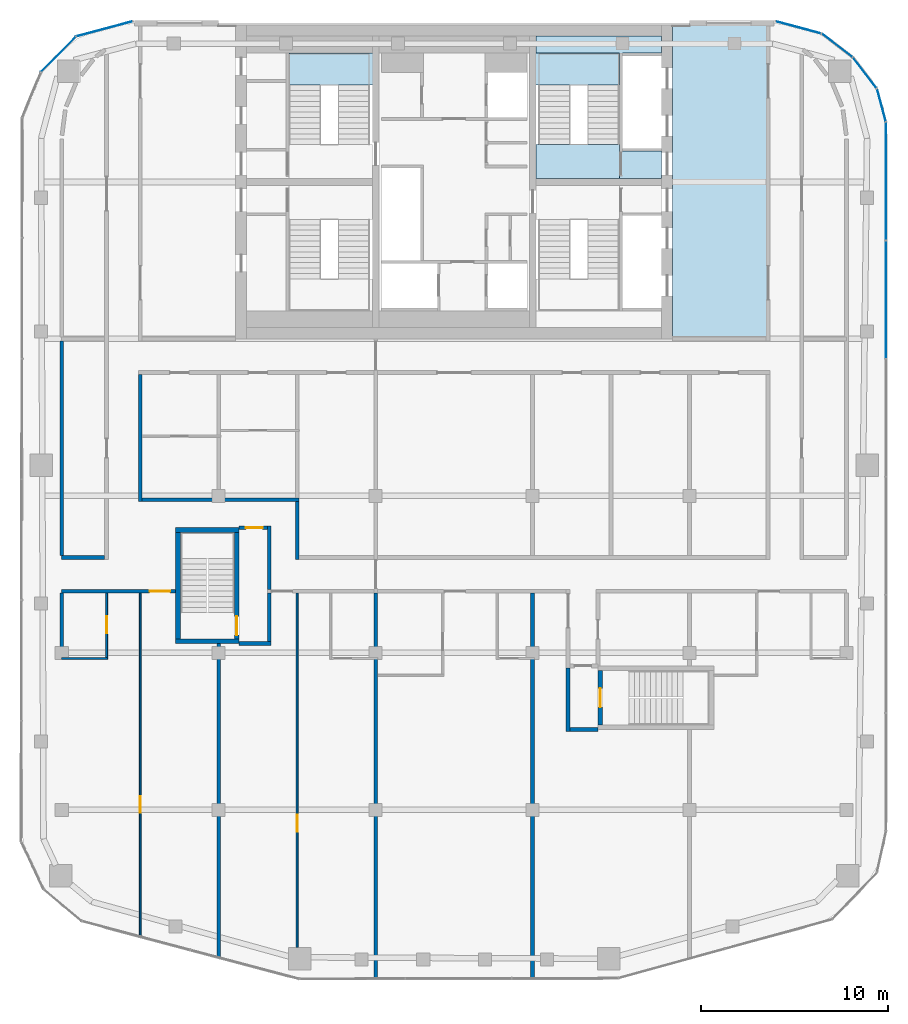
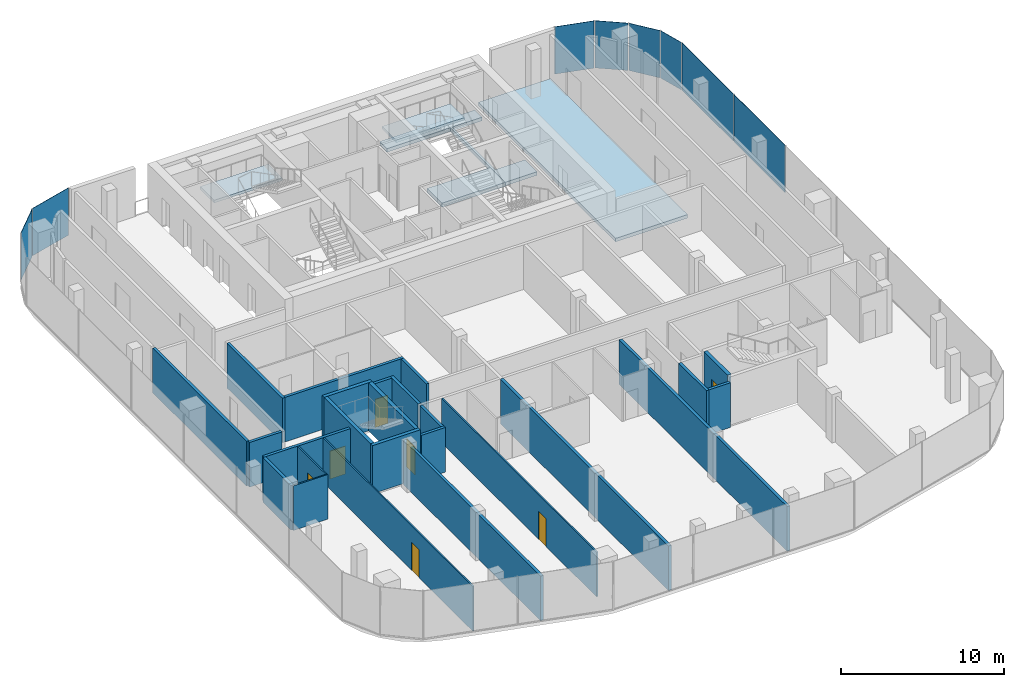
# One storey, part 13 of 19: 25 walls, 8 plates, 7 doors, 5 slabs, 7 openings, 9 elements without a shape of their own.
"""IFC4 building model written with IfcOpenShell, lengths in metres."""

from ifc_helpers import new_model, si_unit, direction, frame, frame_2d, origin, origin_2d, place, context, subcontext, project, spatial, polyline, rectangle, outline, extrude, material, layer, layer_set, type_object, element, fill, aggregate, save


model = new_model("IFC4")

# Units and contexts
model_context = context("Model", 3, precision=1e-05, world=origin(), true_north=direction((0.0, 1.0)))
body_context = subcontext(model_context, "Body", "Model", "MODEL_VIEW")
ifc_project = project(units=[si_unit("LENGTHUNIT", "METRE"), si_unit("AREAUNIT", "SQUARE_METRE"), si_unit("VOLUMEUNIT", "CUBIC_METRE"), si_unit("PLANEANGLEUNIT", "RADIAN"), si_unit("MASSUNIT", "GRAM", prefix="KILO")], contexts=[model_context])

# Site, building, storey
site_placement = place(None, origin())
site = spatial("IfcSite", under=ifc_project, at=site_placement, CompositionType="ELEMENT")
building_placement = place(site_placement, origin())
building = spatial("IfcBuilding", under=site, at=building_placement, Name="Marenta Gate Hotel Tower", CompositionType="ELEMENT")
storey_placement = place(building_placement, frame((0.0, 0.0, 274.10009765625)))
storey = spatial("IfcBuildingStorey", under=building, at=storey_placement, Name="L63", CompositionType="ELEMENT", Elevation=274.10009765625)

# Slabs
ifc_material_1 = material(Name="Concrete C40", Category="concrete")
ifc_layer_1 = layer(ifc_material_1, 0.260009765625)
ifc_layer_set_1 = layer_set([ifc_layer_1], Name="Concrete C40")
slab_type_1 = type_object("IfcSlabType", Name="Core floor slab 260", PredefinedType="FLOOR", material=ifc_layer_set_1)
slab_1_placement = place(storey_placement, frame((0.0, 0.0, -0.260009765625)))
element("IfcSlab", 1, at=slab_1_placement, inside=storey, type_object=slab_type_1, Name="L63-CF-1", PredefinedType="FLOOR", context=body_context, shape_type="SweptSolid", body=[
    extrude(outline(polyline([(11.699951171875, 0.0), (11.699951171875, 16.800048828125), (16.800048828125, 16.800048828125), (16.800048828125, 0.0), (11.699951171875, 0.0)])), origin(), (0.0, 0.0, 1.0), 0.260009765625),
])
slab_2_placement = place(storey_placement, frame((0.0, 0.0, -0.260009765625)))
element("IfcSlab", 2, at=slab_2_placement, inside=storey, type_object=slab_type_1, Name="L63-CF-3", PredefinedType="FLOOR", context=body_context, shape_type="SweptSolid", body=[
    extrude(outline(polyline([(8.85009765625, 15.300048828125), (4.375, 15.300048828125), (4.375, 16.199951171875), (11.10009765625, 16.199951171875), (11.10009765625, 15.300048828125), (9.0, 15.300048828125), (9.0, 15.14990234375), (9.0, 12.75), (9.0, 12.60009765625), (9.0, 10.199951171875), (9.0, 10.050048828125), (11.10009765625, 10.050048828125), (11.10009765625, 8.574951171875), (8.85009765625, 8.574951171875), (8.85009765625, 8.699951171875), (8.85009765625, 10.39990234375), (8.85009765625, 15.300048828125)])), origin(), (0.0, 0.0, 1.0), 0.260009765625),
])

# Stair, slab
ifc_material_2 = material(Name="Concrete C40", Category="concrete")
stair_type = type_object("IfcStairType", Name="Core exit stair 1700 wide", PredefinedType="HALF_TURN_STAIR", material=ifc_material_2)
stair_1_placement = place(storey_placement, origin())
stair_1 = element("IfcStair", 3, at=stair_1_placement, inside=storey, type_object=stair_type, Name="Exit stair 2", PredefinedType="HALF_TURN_STAIR")
ifc_material_3 = material(Name="Concrete C40", Category="concrete")
ifc_layer_2 = layer(ifc_material_3, 0.199951171875)
ifc_layer_set_2 = layer_set([ifc_layer_2], Name="Concrete C40")
slab_type_2 = type_object("IfcSlabType", Name="Core stair landing 200", PredefinedType="LANDING", material=ifc_layer_set_2)
slab_3_placement = place(storey_placement, frame((0.0, 0.0, 1.599853515625)))
slab_3 = element("IfcSlab", 4, at=slab_3_placement, type_object=slab_type_2, Name="SL-200 ST2 landing 1", PredefinedType="LANDING", context=body_context, shape_type="SweptSolid", body=[
    extrude(outline(polyline([(-8.85009765625, 13.590087890625), (-4.02490234375, 13.590087890625), (-4.02490234375, 15.300048828125), (-8.85009765625, 15.300048828125), (-8.85009765625, 13.590087890625)])), origin(), (0.0, 0.0, 1.0), 0.199951171875),
])
aggregate(stair_1, [slab_3])

stair_2_placement = place(storey_placement, origin())
stair_2 = element("IfcStair", 5, at=stair_2_placement, inside=storey, type_object=stair_type, Name="Exit stair 4", PredefinedType="HALF_TURN_STAIR")
slab_4_placement = place(storey_placement, frame((0.0, 0.0, 1.599853515625)))
slab_4 = element("IfcSlab", 6, at=slab_4_placement, type_object=slab_type_2, Name="SL-200 ST4 landing 1", PredefinedType="LANDING", context=body_context, shape_type="SweptSolid", body=[
    extrude(outline(polyline([(4.02490234375, 13.590087890625), (8.85009765625, 13.590087890625), (8.85009765625, 15.300048828125), (4.02490234375, 15.300048828125), (4.02490234375, 13.590087890625)])), origin(), (0.0, 0.0, 1.0), 0.199951171875),
])
aggregate(stair_2, [slab_4])

# Curtain wall, plate
ifc_material_4 = material(Name="Tinted insulated glass in bronze anodised frame", Category="glass")
ifc_layer_3 = layer(ifc_material_4, 0.1201171875)
ifc_layer_set_3 = layer_set([ifc_layer_3], Name="Tinted insulated glass in bronze anodised frame")
curtain_wall_type = type_object("IfcCurtainWallType", Name="Tower unitised curtain wall CW1", PredefinedType="NOTDEFINED", material=ifc_layer_set_3)
curtain_wall_1_placement = place(storey_placement, origin())
curtain_wall_1 = element("IfcCurtainWall", 7, at=curtain_wall_1_placement, inside=storey, type_object=curtain_wall_type, Name="CW1 run G00", PredefinedType="NOTDEFINED")
ifc_material_5 = material(Name="Tinted insulated glass", Category="glass")
ifc_layer_4 = layer(ifc_material_5, 0.028076171875)
ifc_layer_set_4 = layer_set([ifc_layer_4], Name="Tinted insulated glass")
plate_type = type_object("IfcPlateType", Name="Glass panel CW1 28 mm tinted insulated unit", PredefinedType="CURTAIN_PANEL", material=ifc_layer_set_4)
plate_1_placement = place(storey_placement, frame((-18.713623046875, 16.59375, 0.059814453125), z_axis=(0.0, 0.0, 1.0), x_axis=(-0.965930559685, -0.258801379183, 0.0)))
plate_1 = element("IfcPlate", 8, at=plate_1_placement, type_object=plate_type, Name="CW1 panel 1.1", PredefinedType="CURTAIN_PANEL", context=body_context, shape_type="SweptSolid", body=[
    extrude(rectangle(XDim=3.104248046875, YDim=0.028076171875, at=origin_2d()), origin(), (0.0, 0.0, 1.0), 3.5400390625),
])
aggregate(curtain_wall_1, [plate_1])

curtain_wall_2_placement = place(storey_placement, origin())
curtain_wall_2 = element("IfcCurtainWall", 9, at=curtain_wall_2_placement, inside=storey, type_object=curtain_wall_type, Name="CW1 run G01", PredefinedType="NOTDEFINED")
plate_2_placement = place(storey_placement, frame((-21.179443359375, 15.2255859375, 0.059814453125), z_axis=(0.0, 0.0, 1.0), x_axis=(-0.707106781187, -0.707106781187, 0.0)))
plate_2 = element("IfcPlate", 10, at=plate_2_placement, type_object=plate_type, Name="CW1 panel 1.1", PredefinedType="CURTAIN_PANEL", context=body_context, shape_type="SweptSolid", body=[
    extrude(rectangle(XDim=2.614013671875, YDim=0.028076171875, at=origin_2d()), origin(), (0.0, 0.0, 1.0), 3.5400390625),
])
aggregate(curtain_wall_2, [plate_2])

# Curtain wall, plates
curtain_wall_3_placement = place(storey_placement, origin())
curtain_wall_3 = element("IfcCurtainWall", 11, at=curtain_wall_3_placement, inside=storey, type_object=curtain_wall_type, Name="CW1 run G11", PredefinedType="NOTDEFINED")
plate_3_placement = place(storey_placement, frame((23.114013671875, 2.10791015625, 0.059814453125), z_axis=(0.0, 0.0, 1.0), x_axis=(0.0, 1.0, 0.0)))
plate_3 = element("IfcPlate", 12, at=plate_3_placement, type_object=plate_type, Name="CW1 panel 5.1", PredefinedType="CURTAIN_PANEL", context=body_context, shape_type="SweptSolid", body=[
    extrude(rectangle(XDim=6.2626953125, YDim=0.028076171875, at=origin_2d()), origin(), (0.0, 0.0, 1.0), 3.5400390625),
])
plate_4_placement = place(storey_placement, frame((23.114013671875, 8.445556640625, 0.059814453125), z_axis=(0.0, 0.0, 1.0), x_axis=(0.0, 1.0, 0.0)))
plate_4 = element("IfcPlate", 13, at=plate_4_placement, type_object=plate_type, Name="CW1 panel 6.1", PredefinedType="CURTAIN_PANEL", context=body_context, shape_type="SweptSolid", body=[
    extrude(rectangle(XDim=6.29248046875, YDim=0.028076171875, at=origin_2d()), origin(), (0.0, 0.0, 1.0), 3.5400390625),
])
aggregate(curtain_wall_3, [plate_3, plate_4])

# Curtain wall, plate
curtain_wall_4_placement = place(storey_placement, origin())
curtain_wall_4 = element("IfcCurtainWall", 14, at=curtain_wall_4_placement, inside=storey, type_object=curtain_wall_type, Name="CW1 run G12", PredefinedType="NOTDEFINED")
plate_5_placement = place(storey_placement, frame((22.8662109375, 12.51611328125, 0.059814453125), z_axis=(0.0, 0.0, 1.0), x_axis=(-0.258824166754, 0.965924453932, 0.0)))
plate_5 = element("IfcPlate", 15, at=plate_5_placement, type_object=plate_type, Name="CW1 panel 1.1", PredefinedType="CURTAIN_PANEL", context=body_context, shape_type="SweptSolid", body=[
    extrude(rectangle(XDim=1.793701171875, YDim=0.028076171875, at=origin_2d()), origin(), (0.0, 0.0, 1.0), 3.5400390625),
])
aggregate(curtain_wall_4, [plate_5])

curtain_wall_5_placement = place(storey_placement, origin())
curtain_wall_5 = element("IfcCurtainWall", 16, at=curtain_wall_5_placement, inside=storey, type_object=curtain_wall_type, Name="CW1 run G13", PredefinedType="NOTDEFINED")
plate_6_placement = place(storey_placement, frame((21.97509765625, 14.2412109375, 0.059814453125), z_axis=(0.0, 0.0, 1.0), x_axis=(-0.608787499222, 0.793333335233, 0.0)))
plate_6 = element("IfcPlate", 17, at=plate_6_placement, type_object=plate_type, Name="CW1 panel 1.1", PredefinedType="CURTAIN_PANEL", context=body_context, shape_type="SweptSolid", body=[
    extrude(rectangle(XDim=2.045166015625, YDim=0.028076171875, at=origin_2d()), origin(), (0.0, 0.0, 1.0), 3.5400390625),
])
aggregate(curtain_wall_5, [plate_6])

curtain_wall_6_placement = place(storey_placement, origin())
curtain_wall_6 = element("IfcCurtainWall", 18, at=curtain_wall_6_placement, inside=storey, type_object=curtain_wall_type, Name="CW1 run G14", PredefinedType="NOTDEFINED")
plate_7_placement = place(storey_placement, frame((20.493896484375, 15.711669921875, 0.059814453125), z_axis=(0.0, 0.0, 1.0), x_axis=(-0.793333335233, 0.608787499222, 0.0)))
plate_7 = element("IfcPlate", 19, at=plate_7_placement, type_object=plate_type, Name="CW1 panel 1.1", PredefinedType="CURTAIN_PANEL", context=body_context, shape_type="SweptSolid", body=[
    extrude(rectangle(XDim=2.045166015625, YDim=0.028076171875, at=origin_2d()), origin(), (0.0, 0.0, 1.0), 3.5400390625),
])
aggregate(curtain_wall_6, [plate_7])

curtain_wall_7_placement = place(storey_placement, origin())
curtain_wall_7 = element("IfcCurtainWall", 20, at=curtain_wall_7_placement, inside=storey, type_object=curtain_wall_type, Name="CW1 run G15", PredefinedType="NOTDEFINED")
plate_8_placement = place(storey_placement, frame((18.41943359375, 16.672607421875, 0.059814453125), z_axis=(0.0, 0.0, 1.0), x_axis=(-0.96592961764, 0.258804895175, 0.0)))
plate_8 = element("IfcPlate", 21, at=plate_8_placement, type_object=plate_type, Name="CW1 panel 1.1", PredefinedType="CURTAIN_PANEL", context=body_context, shape_type="SweptSolid", body=[
    extrude(rectangle(XDim=2.4951171875, YDim=0.028076171875, at=origin_2d()), origin(), (0.0, 0.0, 1.0), 3.5400390625),
])
aggregate(curtain_wall_7, [plate_8])

# Slab
ifc_material_6 = material(Name="Concrete C40", Category="concrete")
ifc_layer_5 = layer(ifc_material_6, 0.300048828125)
ifc_layer_set_5 = layer_set([ifc_layer_5], Name="Concrete C40")
slab_type_3 = type_object("IfcSlabType", Name="Stair floor landing slab 300", PredefinedType="FLOOR", material=ifc_layer_set_5)
slab_5_placement = place(storey_placement, frame((0.0, 0.0, -0.300048828125)))
element("IfcSlab", 22, at=slab_5_placement, inside=storey, type_object=slab_type_3, Name="L63-CL-ST4-1", PredefinedType="FLOOR", context=body_context, shape_type="SweptSolid", body=[
    extrude(outline(polyline([(4.375, 8.574951171875), (4.375, 10.39990234375), (8.85009765625, 10.39990234375), (8.85009765625, 8.699951171875), (8.85009765625, 8.574951171875), (4.375, 8.574951171875)])), origin(), (0.0, 0.0, 1.0), 0.300048828125),
])

# Wall
ifc_material_7 = material(Name="Concrete blockwork", Category="masonry")
ifc_layer_6 = layer(ifc_material_7, 0.199951171875)
ifc_layer_set_6 = layer_set([ifc_layer_6], Name="Concrete blockwork")
wall_type_1 = type_object("IfcWallType", Name="Compartment wall 200 REI 180", PredefinedType="PARTITIONING", material=ifc_layer_set_6)
wall_1_placement = place(storey_placement, frame((-4.199951171875, -34.199951171875, 0.0), z_axis=(0.0, 0.0, 1.0), x_axis=(0.0, 1.0, 0.0)))
element("IfcWall", 23, at=wall_1_placement, inside=storey, type_object=wall_type_1, Name="L63-PTN-W040", PredefinedType="PARTITIONING", context=body_context, shape_type="SweptSolid", body=[
    extrude(rectangle(XDim=20.599853515625, YDim=0.199951171875, at=frame_2d((10.2998046875, 0.0))), origin(), (0.0, 0.0, 1.0), 3.33984375),
])

# Wall, opening, door
ifc_material_8 = material(Name="Concrete C40", Category="concrete")
ifc_layer_7 = layer(ifc_material_8, 0.25)
ifc_layer_set_7 = layer_set([ifc_layer_7], Name="Concrete C40")
wall_type_2 = type_object("IfcWallType", Name="Remote stair enclosure wall 250 REI 180", PredefinedType="SHEAR", material=ifc_layer_set_7)
wall_2_placement = place(storey_placement, frame((7.824951171875, -20.64990234375, 0.099853515625), z_axis=(0.0, 0.0, 1.0), x_axis=(0.0, 1.0, 0.0)))
wall_2 = element("IfcWall", 24, at=wall_2_placement, inside=storey, type_object=wall_type_2, Name="L63-RS-Z4-1-W3", PredefinedType="SHEAR", context=body_context, shape_type="SweptSolid", body=[
    extrude(rectangle(XDim=2.89990234375, YDim=0.25, at=frame_2d((1.449951171875, 0.0))), origin(), (0.0, 0.0, 1.0), 3.60009765625),
])
opening_1_placement = place(wall_2_placement, frame((0.949951171875, 0.0, 0.0)))
opening_1 = element("IfcOpeningElement", 25, at=opening_1_placement, cuts=wall_2, Name="Opening VD", PredefinedType="OPENING", context=body_context, shape_type="SweptSolid", body=[
    extrude(rectangle(XDim=1.0, YDim=2.10009765625, at=frame_2d((0.5, 1.050048828125))), frame((0.0, 0.125, 0.0), z_axis=(0.0, -1.0, 0.0), x_axis=(1.0, 0.0, 0.0)), (0.0, 0.0, 1.0), 0.25),
])
ifc_material_9 = material(Name="Steel", Category="steel")
door_type_1 = type_object("IfcDoorType", Name="Stair vestibule door 1000x2100 FD60", OperationType="SINGLE_SWING_LEFT", PredefinedType="DOOR", material=ifc_material_9)
door_1_placement = place(opening_1_placement, origin())
door_1 = element("IfcDoor", 26, at=door_1_placement, inside=storey, type_object=door_type_1, Name="VD", OperationType="SINGLE_SWING_LEFT", OverallHeight=2.10009765625, OverallWidth=1.0, PredefinedType="DOOR", context=body_context, shape_type="SweptSolid", body=[
    extrude(rectangle(XDim=1.0, YDim=2.10009765625, at=frame_2d((0.5, 1.050048828125))), frame((0.0, 0.02490234375, 0.0), z_axis=(0.0, -1.0, 0.0), x_axis=(1.0, 0.0, 0.0)), (0.0, 0.0, 1.0), 0.050048828125),
])
fill(opening_1, door_1)

# Walls
for number, where, z_axis, x_axis, name in (
    (27, (-14.89990234375, -16.175048828125, 0.099853515625), (0.0, 0.0, 1.0), (1.0, 0.0, 0.0), "L63-RS-Z4-2-W1"),
    (28, (-14.89990234375, -10.22509765625, 0.099853515625), (0.0, 0.0, 1.0), (1.0, 0.0, 0.0), "L63-RS-Z4-2-W2"),
):
    element("IfcWall", number, at=place(storey_placement, frame(where, z_axis=z_axis, x_axis=x_axis)), inside=storey, type_object=wall_type_2, Name=name, PredefinedType="SHEAR", context=body_context, shape_type="SweptSolid", body=[
        extrude(rectangle(XDim=3.39990234375, YDim=0.25, at=frame_2d((1.699951171875, 0.0))), origin(), (0.0, 0.0, 1.0), 3.60009765625),
    ])
wall_3_placement = place(storey_placement, frame((-14.77490234375, -16.050048828125, 0.099853515625), z_axis=(0.0, 0.0, 1.0), x_axis=(0.0, 1.0, 0.0)))
element("IfcWall", 29, at=wall_3_placement, inside=storey, type_object=wall_type_2, Name="L63-RS-Z4-2-W3", PredefinedType="SHEAR", context=body_context, shape_type="SweptSolid", body=[
    extrude(rectangle(XDim=5.699951171875, YDim=0.25, at=frame_2d((2.85009765625, 0.0))), origin(), (0.0, 0.0, 1.0), 3.60009765625),
])

# Wall, opening, door
wall_4_placement = place(storey_placement, frame((-11.625, -16.050048828125, 0.099853515625), z_axis=(0.0, 0.0, 1.0), x_axis=(0.0, 1.0, 0.0)))
wall_4 = element("IfcWall", 30, at=wall_4_placement, inside=storey, type_object=wall_type_2, Name="L63-RS-Z4-2-W4", PredefinedType="SHEAR", context=body_context, shape_type="SweptSolid", body=[
    extrude(rectangle(XDim=5.699951171875, YDim=0.25, at=frame_2d((2.85009765625, 0.0))), origin(), (0.0, 0.0, 1.0), 3.60009765625),
])
opening_2_placement = place(wall_4_placement, frame((0.199951171875, 0.0, 0.0)))
opening_2 = element("IfcOpeningElement", 31, at=opening_2_placement, cuts=wall_4, Name="Opening VD", PredefinedType="OPENING", context=body_context, shape_type="SweptSolid", body=[
    extrude(rectangle(XDim=1.0, YDim=2.10009765625, at=frame_2d((0.5, 1.050048828125))), frame((0.0, 0.125, 0.0), z_axis=(0.0, -1.0, 0.0), x_axis=(1.0, 0.0, 0.0)), (0.0, 0.0, 1.0), 0.25),
])
door_2_placement = place(opening_2_placement, origin())
door_2 = element("IfcDoor", 32, at=door_2_placement, inside=storey, type_object=door_type_1, Name="VD", OperationType="SINGLE_SWING_LEFT", OverallHeight=2.10009765625, OverallWidth=1.0, PredefinedType="DOOR", context=body_context, shape_type="SweptSolid", body=[
    extrude(rectangle(XDim=1.0, YDim=2.10009765625, at=frame_2d((0.5, 1.050048828125))), frame((0.0, 0.02490234375, 0.0), z_axis=(0.0, -1.0, 0.0), x_axis=(1.0, 0.0, 0.0)), (0.0, 0.0, 1.0), 0.050048828125),
])
fill(opening_2, door_2)

# Wall
ifc_material_10 = material(Name="Concrete blockwork", Category="masonry")
ifc_layer_8 = layer(ifc_material_10, 0.199951171875)
ifc_layer_set_8 = layer_set([ifc_layer_8], Name="Concrete blockwork")
wall_type_3 = type_object("IfcWallType", Name="Room corridor wall 200 EI 120", PredefinedType="PARTITIONING", material=ifc_layer_set_8)
wall_5_placement = place(storey_placement, frame((-16.699951171875, -8.60009765625, 0.0), z_axis=(0.0, 0.0, 1.0), x_axis=(1.0, 0.0, 0.0)))
element("IfcWall", 33, at=wall_5_placement, inside=storey, type_object=wall_type_3, Name="L63-PTN-W026", PredefinedType="PARTITIONING", context=body_context, shape_type="SweptSolid", body=[
    extrude(rectangle(XDim=8.39990234375, YDim=0.199951171875, at=frame_2d((4.199951171875, 0.0))), origin(), (0.0, 0.0, 1.0), 3.33984375),
])

# Wall, opening, door
ifc_material_11 = material(Name="Gypsum board on steel stud", Category="steel")
ifc_layer_9 = layer(ifc_material_11, 0.199951171875)
ifc_layer_set_9 = layer_set([ifc_layer_9], Name="Gypsum board on steel stud")
wall_type_4 = type_object("IfcWallType", Name="Room corridor wall 200 EI 60", PredefinedType="PARTITIONING", material=ifc_layer_set_9)
wall_6_placement = place(storey_placement, frame((-21.0, -13.5, 0.0), z_axis=(0.0, 0.0, 1.0), x_axis=(1.0, 0.0, 0.0)))
wall_6 = element("IfcWall", 34, at=wall_6_placement, inside=storey, type_object=wall_type_4, Name="L63-PTN-W016", PredefinedType="PARTITIONING", context=body_context, shape_type="SweptSolid", body=[
    extrude(rectangle(XDim=6.10009765625, YDim=0.199951171875, at=frame_2d((3.050048828125, 0.0))), origin(), (0.0, 0.0, 1.0), 3.33984375),
])
opening_3_placement = place(wall_6_placement, frame((4.699951171875, 0.0, 0.0)))
opening_3 = element("IfcOpeningElement", 35, at=opening_3_placement, cuts=wall_6, Name="Opening G23-11", PredefinedType="OPENING", context=body_context, shape_type="SweptSolid", body=[
    extrude(rectangle(XDim=1.10009765625, YDim=2.10009765625, at=frame_2d((0.550048828125, 1.050048828125))), frame((0.0, 0.10009765625, 0.0), z_axis=(0.0, -1.0, 0.0), x_axis=(1.0, 0.0, 0.0)), (0.0, 0.0, 1.0), 0.199951171875),
])
ifc_material_12 = material(Name="Timber door leaf", Category="wood")
door_type_2 = type_object("IfcDoorType", Name="Guest room door 1100x2100 EI 30", OperationType="NOTDEFINED", PredefinedType="DOOR", material=ifc_material_12)
door_3_placement = place(opening_3_placement, origin())
door_3 = element("IfcDoor", 36, at=door_3_placement, inside=storey, type_object=door_type_2, Name="L63-PD-D011", OperationType="SINGLE_SWING_RIGHT", OverallHeight=2.10009765625, OverallWidth=1.10009765625, PredefinedType="DOOR", context=body_context, shape_type="SweptSolid", body=[
    extrude(rectangle(XDim=1.10009765625, YDim=2.10009765625, at=frame_2d((0.550048828125, 1.050048828125))), frame((0.0, 0.02490234375, 0.0), z_axis=(0.0, -1.0, 0.0), x_axis=(1.0, 0.0, 0.0)), (0.0, 0.0, 1.0), 0.050048828125),
])
fill(opening_3, door_3)

# Walls
wall_7_placement = place(storey_placement, frame((-21.0, -11.699951171875, 0.0), z_axis=(0.0, 0.0, 1.0), x_axis=(1.0, 0.0, 0.0)))
element("IfcWall", 37, at=wall_7_placement, inside=storey, type_object=wall_type_4, Name="L63-PTN-W022", PredefinedType="PARTITIONING", context=body_context, shape_type="SweptSolid", body=[
    extrude(rectangle(XDim=2.300048828125, YDim=0.199951171875, at=frame_2d((1.14990234375, 0.0))), origin(), (0.0, 0.0, 1.0), 3.33984375),
])
wall_8_placement = place(storey_placement, frame((-8.39990234375, -11.800048828125, 0.0), z_axis=(0.0, 0.0, 1.0), x_axis=(0.0, 1.0, 0.0)))
element("IfcWall", 38, at=wall_8_placement, inside=storey, type_object=wall_type_4, Name="L63-PTN-W044", PredefinedType="PARTITIONING", context=body_context, shape_type="SweptSolid", body=[
    extrude(rectangle(XDim=3.10009765625, YDim=0.199951171875, at=frame_2d((1.550048828125, 0.0))), origin(), (0.0, 0.0, 1.0), 3.33984375),
])
wall_9_placement = place(storey_placement, frame((-16.800048828125, -8.699951171875, 0.0), z_axis=(0.0, 0.0, 1.0), x_axis=(0.0, 1.0, 0.0)))
element("IfcWall", 39, at=wall_9_placement, inside=storey, type_object=wall_type_4, Name="L63-PTN-W051", PredefinedType="PARTITIONING", context=body_context, shape_type="SweptSolid", body=[
    extrude(rectangle(XDim=6.800048828125, YDim=0.199951171875, at=frame_2d((3.39990234375, 0.0))), origin(), (0.0, 0.0, 1.0), 3.33984375),
])
wall_10_placement = place(storey_placement, frame((-21.0, -17.050048828125, 0.0), z_axis=(0.0, 0.0, 1.0), x_axis=(0.0, 1.0, 0.0)))
element("IfcWall", 40, at=wall_10_placement, inside=storey, type_object=wall_type_4, Name="L63-PTN-W054", PredefinedType="PARTITIONING", context=body_context, shape_type="SweptSolid", body=[
    extrude(rectangle(XDim=3.449951171875, YDim=0.199951171875, at=frame_2d((1.72509765625, 0.0))), origin(), (0.0, 0.0, 1.0), 3.33984375),
])
wall_11_placement = place(storey_placement, frame((-21.0, -11.60009765625, 0.0), z_axis=(0.0, 0.0, 1.0), x_axis=(0.0, 1.0, 0.0)))
element("IfcWall", 41, at=wall_11_placement, inside=storey, type_object=wall_type_4, Name="L63-PTN-W055", PredefinedType="PARTITIONING", context=body_context, shape_type="SweptSolid", body=[
    extrude(rectangle(XDim=11.5, YDim=0.199951171875, at=frame_2d((5.75, 0.0))), origin(), (0.0, 0.0, 1.0), 3.33984375),
])

# Wall, opening, door
ifc_material_13 = material(Name="Concrete blockwork", Category="masonry")
ifc_layer_10 = layer(ifc_material_13, 0.199951171875)
ifc_layer_set_10 = layer_set([ifc_layer_10], Name="Concrete blockwork")
wall_type_5 = type_object("IfcWallType", Name="Room corridor wall 200 REI 180", PredefinedType="PARTITIONING", material=ifc_layer_set_10)
wall_12_placement = place(storey_placement, frame((-11.5, -10.10009765625, 0.0), z_axis=(0.0, 0.0, 1.0), x_axis=(1.0, 0.0, 0.0)))
wall_12 = element("IfcWall", 42, at=wall_12_placement, inside=storey, type_object=wall_type_5, Name="L63-PTN-W025", PredefinedType="PARTITIONING", context=body_context, shape_type="SweptSolid", body=[
    extrude(rectangle(XDim=1.5, YDim=0.199951171875, at=frame_2d((0.75, 0.0))), origin(), (0.0, 0.0, 1.0), 3.33984375),
])
opening_4_placement = place(wall_12_placement, frame((0.35009765625, 0.0, 0.0)))
opening_4 = element("IfcOpeningElement", 43, at=opening_4_placement, cuts=wall_12, Name="Opening G23-26", PredefinedType="OPENING", context=body_context, shape_type="SweptSolid", body=[
    extrude(rectangle(XDim=0.89990234375, YDim=2.10009765625, at=frame_2d((0.449951171875, 1.050048828125))), frame((0.0, 0.10009765625, 0.0), z_axis=(0.0, -1.0, 0.0), x_axis=(1.0, 0.0, 0.0)), (0.0, 0.0, 1.0), 0.199951171875),
])
ifc_material_14 = material(Name="Hollow steel door set", Category="steel")
door_type_3 = type_object("IfcDoorType", Name="Stair vestibule door 900x2100 EI 60", OperationType="NOTDEFINED", PredefinedType="DOOR", material=ifc_material_14)
door_4_placement = place(opening_4_placement, origin())
door_4 = element("IfcDoor", 44, at=door_4_placement, inside=storey, type_object=door_type_3, Name="L63-PD-D026", OperationType="SINGLE_SWING_LEFT", OverallHeight=2.10009765625, OverallWidth=0.89990234375, PredefinedType="DOOR", context=body_context, shape_type="SweptSolid", body=[
    extrude(rectangle(XDim=0.89990234375, YDim=2.10009765625, at=frame_2d((0.449951171875, 1.050048828125))), frame((0.0, 0.02490234375, 0.0), z_axis=(0.0, -1.0, 0.0), x_axis=(1.0, 0.0, 0.0)), (0.0, 0.0, 1.0), 0.050048828125),
])
fill(opening_4, door_4)

# Walls
wall_13_placement = place(storey_placement, frame((-9.89990234375, -13.39990234375, 0.0), z_axis=(0.0, 0.0, 1.0), x_axis=(0.0, 1.0, 0.0)))
element("IfcWall", 45, at=wall_13_placement, inside=storey, type_object=wall_type_5, Name="L63-PTN-W047", PredefinedType="PARTITIONING", context=body_context, shape_type="SweptSolid", body=[
    extrude(rectangle(XDim=3.39990234375, YDim=0.199951171875, at=frame_2d((1.699951171875, 0.0))), origin(), (0.0, 0.0, 1.0), 3.33984375),
])
ifc_material_15 = material(Name="Gypsum board on steel stud", Category="steel")
ifc_layer_11 = layer(ifc_material_15, 0.10009765625)
ifc_layer_set_11 = layer_set([ifc_layer_11], Name="Gypsum board on steel stud")
wall_type_6 = type_object("IfcWallType", Name="Room partition 100", PredefinedType="PARTITIONING", material=ifc_layer_set_11)
wall_14_placement = place(storey_placement, frame((-21.0, -17.10009765625, 0.0), z_axis=(0.0, 0.0, 1.0), x_axis=(1.0, 0.0, 0.0)))
element("IfcWall", 46, at=wall_14_placement, inside=storey, type_object=wall_type_6, Name="L63-PTN-W009", PredefinedType="PARTITIONING", context=body_context, shape_type="SweptSolid", body=[
    extrude(rectangle(XDim=2.449951171875, YDim=0.10009765625, at=frame_2d((1.22509765625, 0.0))), origin(), (0.0, 0.0, 1.0), 3.33984375),
])

# Wall, opening, door
wall_15_placement = place(storey_placement, frame((-8.39990234375, -32.574951171875, 0.0), z_axis=(0.0, 0.0, 1.0), x_axis=(0.0, 1.0, 0.0)))
wall_15 = element("IfcWall", 47, at=wall_15_placement, inside=storey, type_object=wall_type_6, Name="L63-PTN-W043", PredefinedType="PARTITIONING", context=body_context, shape_type="SweptSolid", body=[
    extrude(rectangle(XDim=18.974853515625, YDim=0.10009765625, at=frame_2d((9.4873046875, 0.0))), origin(), (0.0, 0.0, 1.0), 3.33984375),
])
opening_5_placement = place(wall_15_placement, frame((6.205078125, 0.0, 0.0)))
opening_5 = element("IfcOpeningElement", 48, at=opening_5_placement, cuts=wall_15, Name="Opening G23-15", PredefinedType="OPENING", context=body_context, shape_type="SweptSolid", body=[
    extrude(rectangle(XDim=0.89990234375, YDim=2.10009765625, at=frame_2d((0.449951171875, 1.050048828125))), frame((0.0, 0.050048828125, 0.0), z_axis=(0.0, -1.0, 0.0), x_axis=(1.0, 0.0, 0.0)), (0.0, 0.0, 1.0), 0.10009765625),
])
ifc_material_16 = material(Name="Timber door leaf", Category="wood")
door_type_4 = type_object("IfcDoorType", Name="Room inner door 900x2100", OperationType="NOTDEFINED", PredefinedType="DOOR", material=ifc_material_16)
door_5_placement = place(opening_5_placement, origin())
door_5 = element("IfcDoor", 49, at=door_5_placement, inside=storey, type_object=door_type_4, Name="L63-PD-D015", OperationType="SINGLE_SWING_LEFT", OverallHeight=2.10009765625, OverallWidth=0.89990234375, PredefinedType="DOOR", context=body_context, shape_type="SweptSolid", body=[
    extrude(rectangle(XDim=0.89990234375, YDim=2.10009765625, at=frame_2d((0.449951171875, 1.050048828125))), frame((0.0, 0.02490234375, 0.0), z_axis=(0.0, -1.0, 0.0), x_axis=(1.0, 0.0, 0.0)), (0.0, 0.0, 1.0), 0.050048828125),
])
fill(opening_5, door_5)

wall_16_placement = place(storey_placement, frame((-16.800048828125, -31.95703125, 0.0), z_axis=(0.0, 0.0, 1.0), x_axis=(0.0, 1.0, 0.0)))
wall_16 = element("IfcWall", 50, at=wall_16_placement, inside=storey, type_object=wall_type_6, Name="L63-PTN-W050", PredefinedType="PARTITIONING", context=body_context, shape_type="SweptSolid", body=[
    extrude(rectangle(XDim=18.35693359375, YDim=0.10009765625, at=frame_2d((9.178466796875, 0.0))), origin(), (0.0, 0.0, 1.0), 3.33984375),
])
opening_6_placement = place(wall_16_placement, frame((6.590087890625, 0.0, 0.0)))
opening_6 = element("IfcOpeningElement", 51, at=opening_6_placement, cuts=wall_16, Name="Opening G23-12", PredefinedType="OPENING", context=body_context, shape_type="SweptSolid", body=[
    extrude(rectangle(XDim=0.89990234375, YDim=2.10009765625, at=frame_2d((0.449951171875, 1.050048828125))), frame((0.0, 0.050048828125, 0.0), z_axis=(0.0, -1.0, 0.0), x_axis=(1.0, 0.0, 0.0)), (0.0, 0.0, 1.0), 0.10009765625),
])
door_6_placement = place(opening_6_placement, origin())
door_6 = element("IfcDoor", 52, at=door_6_placement, inside=storey, type_object=door_type_4, Name="L63-PD-D012", OperationType="SINGLE_SWING_LEFT", OverallHeight=2.10009765625, OverallWidth=0.89990234375, PredefinedType="DOOR", context=body_context, shape_type="SweptSolid", body=[
    extrude(rectangle(XDim=0.89990234375, YDim=2.10009765625, at=frame_2d((0.449951171875, 1.050048828125))), frame((0.0, 0.02490234375, 0.0), z_axis=(0.0, -1.0, 0.0), x_axis=(1.0, 0.0, 0.0)), (0.0, 0.0, 1.0), 0.050048828125),
])
fill(opening_6, door_6)

wall_17_placement = place(storey_placement, frame((-18.60009765625, -17.050048828125, 0.0), z_axis=(0.0, 0.0, 1.0), x_axis=(0.0, 1.0, 0.0)))
wall_17 = element("IfcWall", 53, at=wall_17_placement, inside=storey, type_object=wall_type_6, Name="L63-PTN-W052", PredefinedType="PARTITIONING", context=body_context, shape_type="SweptSolid", body=[
    extrude(rectangle(XDim=3.449951171875, YDim=0.10009765625, at=frame_2d((1.72509765625, 0.0))), origin(), (0.0, 0.0, 1.0), 3.33984375),
])
opening_7_placement = place(wall_17_placement, frame((1.300048828125, 0.0, 0.0)))
opening_7 = element("IfcOpeningElement", 54, at=opening_7_placement, cuts=wall_17, Name="Opening G23-13", PredefinedType="OPENING", context=body_context, shape_type="SweptSolid", body=[
    extrude(rectangle(XDim=0.89990234375, YDim=2.10009765625, at=frame_2d((0.449951171875, 1.050048828125))), frame((0.0, 0.050048828125, 0.0), z_axis=(0.0, -1.0, 0.0), x_axis=(1.0, 0.0, 0.0)), (0.0, 0.0, 1.0), 0.10009765625),
])
ifc_material_17 = material(Name="Timber door leaf", Category="wood")
door_type_5 = type_object("IfcDoorType", Name="Guest bathroom door 900x2100", OperationType="NOTDEFINED", PredefinedType="DOOR", material=ifc_material_17)
door_7_placement = place(opening_7_placement, origin())
door_7 = element("IfcDoor", 55, at=door_7_placement, inside=storey, type_object=door_type_5, Name="L63-PD-D013", OperationType="SINGLE_SWING_RIGHT", OverallHeight=2.10009765625, OverallWidth=0.89990234375, PredefinedType="DOOR", context=body_context, shape_type="SweptSolid", body=[
    extrude(rectangle(XDim=0.89990234375, YDim=2.10009765625, at=frame_2d((0.449951171875, 1.050048828125))), frame((0.0, 0.02490234375, 0.0), z_axis=(0.0, -1.0, 0.0), x_axis=(1.0, 0.0, 0.0)), (0.0, 0.0, 1.0), 0.050048828125),
])
fill(opening_7, door_7)

# Walls
ifc_material_18 = material(Name="Gypsum board on steel stud", Category="steel")
ifc_layer_12 = layer(ifc_material_18, 0.199951171875)
ifc_layer_set_12 = layer_set([ifc_layer_12], Name="Gypsum board on steel stud")
wall_type_7 = type_object("IfcWallType", Name="Room party wall 200 EI 60", PredefinedType="PARTITIONING", material=ifc_layer_set_12)
wall_18_placement = place(storey_placement, frame((4.199951171875, -34.199951171875, 0.0), z_axis=(0.0, 0.0, 1.0), x_axis=(0.0, 1.0, 0.0)))
element("IfcWall", 56, at=wall_18_placement, inside=storey, type_object=wall_type_7, Name="L63-PTN-W033", PredefinedType="PARTITIONING", context=body_context, shape_type="SweptSolid", body=[
    extrude(rectangle(XDim=20.599853515625, YDim=0.199951171875, at=frame_2d((10.2998046875, 0.0))), origin(), (0.0, 0.0, 1.0), 3.33984375),
])
wall_19_placement = place(storey_placement, frame((-12.60009765625, -33.074951171875, 0.0), z_axis=(0.0, 0.0, 1.0), x_axis=(0.0, 1.0, 0.0)))
element("IfcWall", 57, at=wall_19_placement, inside=storey, type_object=wall_type_7, Name="L63-PTN-W048", PredefinedType="PARTITIONING", context=body_context, shape_type="SweptSolid", body=[
    extrude(rectangle(XDim=16.77490234375, YDim=0.199951171875, at=frame_2d((8.387451171875, 0.0))), origin(), (0.0, 0.0, 1.0), 3.33984375),
])
ifc_material_19 = material(Name="Concrete blockwork", Category="masonry")
ifc_layer_13 = layer(ifc_material_19, 0.199951171875)
ifc_layer_set_13 = layer_set([ifc_layer_13], Name="Concrete blockwork")
wall_type_8 = type_object("IfcWallType", Name="Room party wall 200 REI 180", PredefinedType="PARTITIONING", material=ifc_layer_set_13)
wall_20_placement = place(storey_placement, frame((6.199951171875, -20.89990234375, 0.0), z_axis=(0.0, 0.0, 1.0), x_axis=(1.0, 0.0, 0.0)))
element("IfcWall", 58, at=wall_20_placement, inside=storey, type_object=wall_type_8, Name="L63-PTN-W003", PredefinedType="PARTITIONING", context=body_context, shape_type="SweptSolid", body=[
    extrude(rectangle(XDim=1.5, YDim=0.199951171875, at=frame_2d((0.75, 0.0))), origin(), (0.0, 0.0, 1.0), 3.33984375),
])
wall_21_placement = place(storey_placement, frame((-11.5, -16.300048828125, 0.0), z_axis=(0.0, 0.0, 1.0), x_axis=(1.0, 0.0, 0.0)))
element("IfcWall", 59, at=wall_21_placement, inside=storey, type_object=wall_type_8, Name="L63-PTN-W014", PredefinedType="PARTITIONING", context=body_context, shape_type="SweptSolid", body=[
    extrude(rectangle(XDim=1.699951171875, YDim=0.199951171875, at=frame_2d((0.85009765625, 0.0))), origin(), (0.0, 0.0, 1.0), 3.33984375),
])
wall_22_placement = place(storey_placement, frame((6.10009765625, -21.0, 0.0), z_axis=(0.0, 0.0, 1.0), x_axis=(0.0, 1.0, 0.0)))
element("IfcWall", 60, at=wall_22_placement, inside=storey, type_object=wall_type_8, Name="L63-PTN-W029", PredefinedType="PARTITIONING", context=body_context, shape_type="SweptSolid", body=[
    extrude(rectangle(XDim=3.39990234375, YDim=0.199951171875, at=frame_2d((1.699951171875, 0.0))), origin(), (0.0, 0.0, 1.0), 3.33984375),
])
wall_23_placement = place(storey_placement, frame((-9.89990234375, -16.199951171875, 0.0), z_axis=(0.0, 0.0, 1.0), x_axis=(0.0, 1.0, 0.0)))
element("IfcWall", 61, at=wall_23_placement, inside=storey, type_object=wall_type_8, Name="L63-PTN-W046", PredefinedType="PARTITIONING", context=body_context, shape_type="SweptSolid", body=[
    extrude(rectangle(XDim=2.599853515625, YDim=0.199951171875, at=frame_2d((1.2998046875, 0.0))), origin(), (0.0, 0.0, 1.0), 3.33984375),
])

save(model, "model.ifc")
